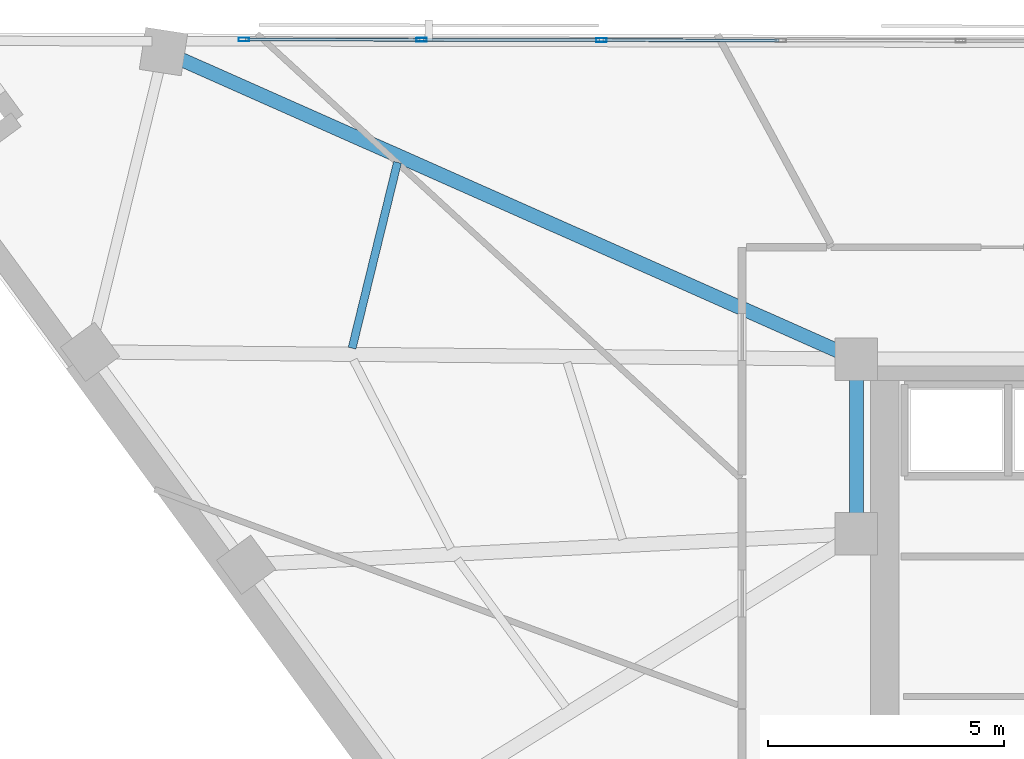
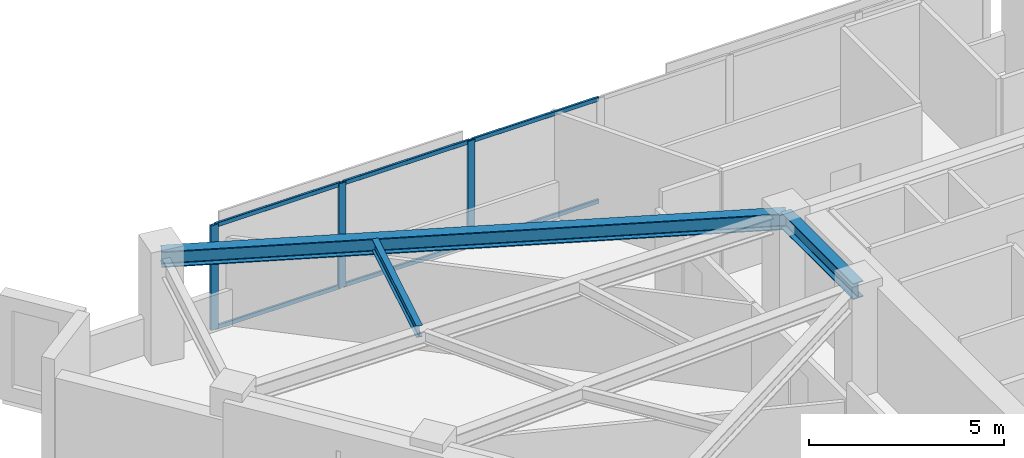
# One storey, part 2 of 13: 9 members, 3 beams, 1 element without a shape of its own.
"""IFC4 building model written with IfcOpenShell, lengths in metres."""

from ifc_helpers import new_model, si_unit, direction, frame, origin, origin_2d, place, context, subcontext, project, spatial, hollow_rectangle, i_section, extrude, material, material_profile, profile_set, type_object, element, aggregate, save


model = new_model("IFC4")

# Units and contexts
model_context = context("Model", 3, precision=1e-05, world=origin(), true_north=direction((0.0, 1.0)))
body_context = subcontext(model_context, "Body", "Model", "MODEL_VIEW")
ifc_project = project(units=[si_unit("LENGTHUNIT", "METRE"), si_unit("AREAUNIT", "SQUARE_METRE"), si_unit("VOLUMEUNIT", "CUBIC_METRE"), si_unit("PLANEANGLEUNIT", "RADIAN"), si_unit("MASSUNIT", "GRAM", prefix="KILO")], contexts=[model_context])

# Site, building, storey
site_placement = place(None, origin())
site = spatial("IfcSite", under=ifc_project, at=site_placement, CompositionType="ELEMENT")
building_placement = place(site_placement, origin())
building = spatial("IfcBuilding", under=site, at=building_placement, Name="Narakoshi Arena Tower", CompositionType="ELEMENT")
storey_placement = place(building_placement, frame((0.0, 0.0, 239.6201171875)))
storey = spatial("IfcBuildingStorey", under=building, at=storey_placement, Name="L65", CompositionType="ELEMENT", Elevation=239.6201171875)

# Beams
ifc_material_1 = material(Name="Structural steel S355J2", Category="steel")
ifc_material_profile_1 = material_profile(ifc_material_1, i_section(OverallWidth=0.300048828125, OverallDepth=0.5, WebThickness=0.014404296875, FlangeThickness=0.028076171875, FilletRadius=0.027099609375, at=origin_2d()), Name="HE500B")
ifc_profile_set_1 = profile_set([ifc_material_profile_1], Name="Structural steel S355J2")
beam_type_1 = type_object("IfcBeamType", Name="BM-PRI-500", PredefinedType="BEAM", material=ifc_profile_set_1)
beam_1_placement = place(storey_placement, frame((72.0, 56.5, 3.009765625), z_axis=(-0.914014379094, 0.405681790089, 0.0), x_axis=(-0.405681790089, -0.914014379094, 0.0)))
element("IfcBeam", 1, at=beam_1_placement, inside=storey, type_object=beam_type_1, Name="L65 Radial Primary Floor Girder 08", PredefinedType="BEAM", context=body_context, shape_type="SweptSolid", body=[
    extrude(i_section(OverallWidth=0.300048828125, OverallDepth=0.5, WebThickness=0.014404296875, FlangeThickness=0.028076171875, FilletRadius=0.027099609375, at=origin_2d()), origin(), (0.0, 0.0, 1.0), 16.072998046875),
])
beam_2_placement = place(storey_placement, frame((72.0, 52.800048828125, 3.009765625), z_axis=(0.0, 1.0, 0.0), x_axis=(-1.0, 0.0, 0.0)))
element("IfcBeam", 2, at=beam_2_placement, inside=storey, type_object=beam_type_1, Name="L65 Core Perimeter Frame Beam CC4-CC5", PredefinedType="BEAM", context=body_context, shape_type="SweptSolid", body=[
    extrude(i_section(OverallWidth=0.300048828125, OverallDepth=0.5, WebThickness=0.014404296875, FlangeThickness=0.028076171875, FilletRadius=0.027099609375, at=origin_2d()), origin(), (0.0, 0.0, 1.0), 3.699951171875),
])
ifc_material_profile_2 = material_profile(ifc_material_1, i_section(OverallWidth=0.169921875, OverallDepth=0.360107421875, WebThickness=0.008056640625, FlangeThickness=0.0126953125, FilletRadius=0.01806640625, at=origin_2d()), Name="IPE360")
ifc_profile_set_2 = profile_set([ifc_material_profile_2], Name="Structural steel S355J2")
beam_type_2 = type_object("IfcBeamType", Name="BM-SEC-360", PredefinedType="JOIST", material=ifc_profile_set_2)
beam_3_placement = place(storey_placement, frame((62.27197265625, 60.672607421875, 3.079833984375), z_axis=(-0.237419008325, -0.971407337056, 0.0), x_axis=(0.971407337056, -0.237419008325, 0.0)))
element("IfcBeam", 3, at=beam_3_placement, inside=storey, type_object=beam_type_2, Name="L65 Composite Secondary Floor Joist 07", PredefinedType="JOIST", context=body_context, shape_type="SweptSolid", body=[
    extrude(i_section(OverallWidth=0.169921875, OverallDepth=0.360107421875, WebThickness=0.008056640625, FlangeThickness=0.0126953125, FilletRadius=0.01806640625, at=origin_2d()), origin(), (0.0, 0.0, 1.0), 4.0556640625),
])

# Curtain wall, members
ifc_material_2 = material(Name="Anodised bronze aluminium 6063-T6", Category="aluminium")
curtain_wall_type = type_object("IfcCurtainWallType", Name="CW-HYP-HIGH", PredefinedType="NOTDEFINED", material=ifc_material_2)
curtain_wall_placement = place(storey_placement, origin())
curtain_wall = element("IfcCurtainWall", 4, at=curtain_wall_placement, inside=storey, type_object=curtain_wall_type, Name="L65 Folded Hypotenuse Curtain Wall 2-1", PredefinedType="NOTDEFINED")
ifc_material_profile_3 = material_profile(ifc_material_2, hollow_rectangle(XDim=0.080078125, YDim=0.219970703125, WallThickness=0.0048828125, OuterFilletRadius=0.006103515625, at=origin_2d()), Name="MUL220x80x5")
ifc_profile_set_3 = profile_set([ifc_material_profile_3], Name="Anodised bronze aluminium 6063-T6")
member_type_1 = type_object("IfcMemberType", Name="MEM-MUL-220", PredefinedType="MULLION", material=ifc_profile_set_3)
member_1_placement = place(storey_placement, frame((66.59326171875, 63.263671875, 0.0), z_axis=(0.0, 0.0, 1.0), x_axis=(-0.001819896899, -0.999998343986, 0.0)))
member_1 = element("IfcMember", 5, at=member_1_placement, type_object=member_type_1, Name="CW-03 mullion 5", PredefinedType="MULLION", context=body_context, shape_type="SweptSolid", body=[
    extrude(hollow_rectangle(XDim=0.080078125, YDim=0.219970703125, WallThickness=0.0048828125, OuterFilletRadius=0.006103515625, at=origin_2d()), origin(), (0.0, 0.0, 1.0), 3.259765625),
])
member_2_placement = place(storey_placement, frame((62.78369140625, 63.270751953125, 0.0), z_axis=(0.0, 0.0, 1.0), x_axis=(-0.001819896899, -0.999998343986, 0.0)))
member_2 = element("IfcMember", 6, at=member_2_placement, type_object=member_type_1, Name="CW-03 mullion 6", PredefinedType="MULLION", context=body_context, shape_type="SweptSolid", body=[
    extrude(hollow_rectangle(XDim=0.080078125, YDim=0.219970703125, WallThickness=0.0048828125, OuterFilletRadius=0.006103515625, at=origin_2d()), origin(), (0.0, 0.0, 1.0), 3.259765625),
])
member_3_placement = place(storey_placement, frame((59.013916015625, 63.277587890625, 0.0), z_axis=(0.0, 0.0, 1.0), x_axis=(-0.001819896899, -0.999998343986, 0.0)))
member_3 = element("IfcMember", 7, at=member_3_placement, type_object=member_type_1, Name="CW-03 mullion 7", PredefinedType="MULLION", context=body_context, shape_type="SweptSolid", body=[
    extrude(hollow_rectangle(XDim=0.080078125, YDim=0.219970703125, WallThickness=0.0048828125, OuterFilletRadius=0.006103515625, at=origin_2d()), origin(), (0.0, 0.0, 1.0), 3.259765625),
])
ifc_material_profile_4 = material_profile(ifc_material_2, hollow_rectangle(XDim=0.06494140625, YDim=0.1298828125, WallThickness=0.00390625, OuterFilletRadius=0.0048828125, at=origin_2d()), Name="TRN130x65x4")
ifc_profile_set_4 = profile_set([ifc_material_profile_4], Name="Anodised bronze aluminium 6063-T6")
member_type_2 = type_object("IfcMemberType", Name="MEM-TRN-130", PredefinedType="USERDEFINED", material=ifc_profile_set_4)
member_4_placement = place(storey_placement, frame((70.363037109375, 63.2568359375, 0.032470703125), z_axis=(-0.999998320389, 0.001832817502, 0.0), x_axis=(-0.001832817502, -0.999998320389, 0.0)))
member_4 = element("IfcMember", 8, at=member_4_placement, type_object=member_type_2, Name="CW-03 transom 4.1", ObjectType="TRANSOM", PredefinedType="USERDEFINED", context=body_context, shape_type="SweptSolid", body=[
    extrude(hollow_rectangle(XDim=0.06494140625, YDim=0.1298828125, WallThickness=0.00390625, OuterFilletRadius=0.0048828125, at=origin_2d()), origin(), (0.0, 0.0, 1.0), 3.729736328125),
])
member_5_placement = place(storey_placement, frame((70.363037109375, 63.2568359375, 3.227294921875), z_axis=(-0.999998320389, 0.001832817502, 0.0), x_axis=(-0.001832817502, -0.999998320389, 0.0)))
member_5 = element("IfcMember", 9, at=member_5_placement, type_object=member_type_2, Name="CW-03 transom 4.2", ObjectType="TRANSOM", PredefinedType="USERDEFINED", context=body_context, shape_type="SweptSolid", body=[
    extrude(hollow_rectangle(XDim=0.06494140625, YDim=0.1298828125, WallThickness=0.00390625, OuterFilletRadius=0.0048828125, at=origin_2d()), origin(), (0.0, 0.0, 1.0), 3.729736328125),
])
member_6_placement = place(storey_placement, frame((66.553466796875, 63.263916015625, 0.032470703125), z_axis=(-0.999998438218, 0.001767359942, 0.0), x_axis=(-0.001767359942, -0.999998438218, 0.0)))
member_6 = element("IfcMember", 10, at=member_6_placement, type_object=member_type_2, Name="CW-03 transom 5.1", ObjectType="TRANSOM", PredefinedType="USERDEFINED", context=body_context, shape_type="SweptSolid", body=[
    extrude(hollow_rectangle(XDim=0.06494140625, YDim=0.1298828125, WallThickness=0.00390625, OuterFilletRadius=0.0048828125, at=origin_2d()), origin(), (0.0, 0.0, 1.0), 3.729736328125),
])
member_7_placement = place(storey_placement, frame((66.553466796875, 63.263916015625, 3.227294921875), z_axis=(-0.999998438218, 0.001767359942, 0.0), x_axis=(-0.001767359942, -0.999998438218, 0.0)))
member_7 = element("IfcMember", 11, at=member_7_placement, type_object=member_type_2, Name="CW-03 transom 5.2", ObjectType="TRANSOM", PredefinedType="USERDEFINED", context=body_context, shape_type="SweptSolid", body=[
    extrude(hollow_rectangle(XDim=0.06494140625, YDim=0.1298828125, WallThickness=0.00390625, OuterFilletRadius=0.0048828125, at=origin_2d()), origin(), (0.0, 0.0, 1.0), 3.729736328125),
])
member_8_placement = place(storey_placement, frame((62.74365234375, 63.270751953125, 0.032470703125), z_axis=(-0.999998404139, 0.001786538537, 0.0), x_axis=(-0.001786538537, -0.999998404139, 0.0)))
member_8 = element("IfcMember", 12, at=member_8_placement, type_object=member_type_2, Name="CW-03 transom 6.1", ObjectType="TRANSOM", PredefinedType="USERDEFINED", context=body_context, shape_type="SweptSolid", body=[
    extrude(hollow_rectangle(XDim=0.06494140625, YDim=0.1298828125, WallThickness=0.00390625, OuterFilletRadius=0.0048828125, at=origin_2d()), origin(), (0.0, 0.0, 1.0), 3.689697265625),
])
member_9_placement = place(storey_placement, frame((62.74365234375, 63.270751953125, 3.227294921875), z_axis=(-0.999998404139, 0.001786538537, 0.0), x_axis=(-0.001786538537, -0.999998404139, 0.0)))
member_9 = element("IfcMember", 13, at=member_9_placement, type_object=member_type_2, Name="CW-03 transom 6.2", ObjectType="TRANSOM", PredefinedType="USERDEFINED", context=body_context, shape_type="SweptSolid", body=[
    extrude(hollow_rectangle(XDim=0.06494140625, YDim=0.1298828125, WallThickness=0.00390625, OuterFilletRadius=0.0048828125, at=origin_2d()), origin(), (0.0, 0.0, 1.0), 3.689697265625),
])
aggregate(curtain_wall, [member_1, member_2, member_3, member_4, member_5, member_6, member_7, member_8, member_9])

save(model, "model.ifc")
